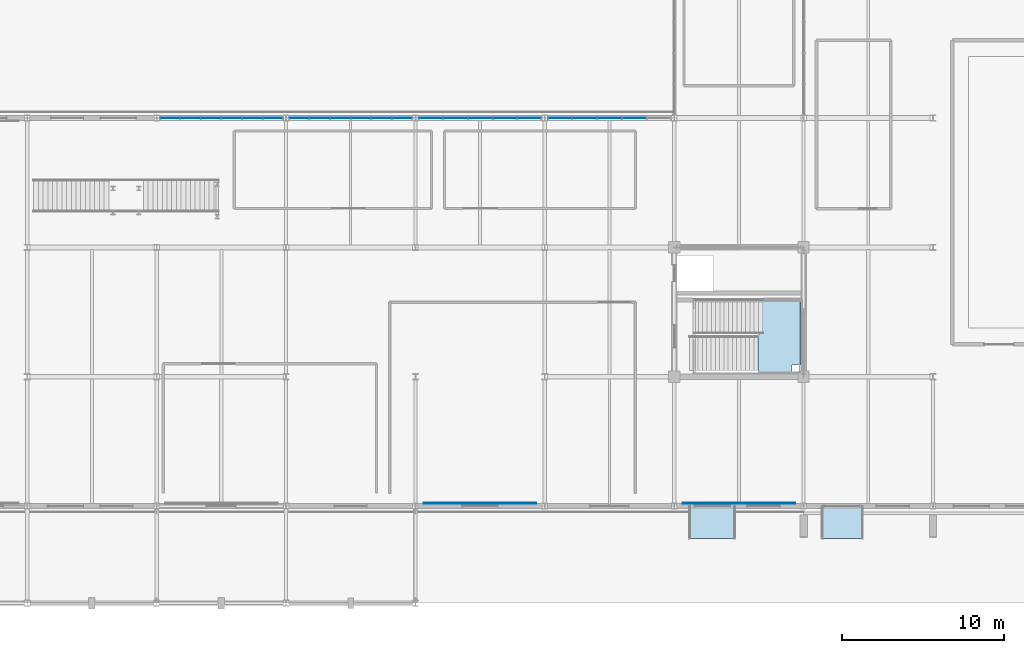
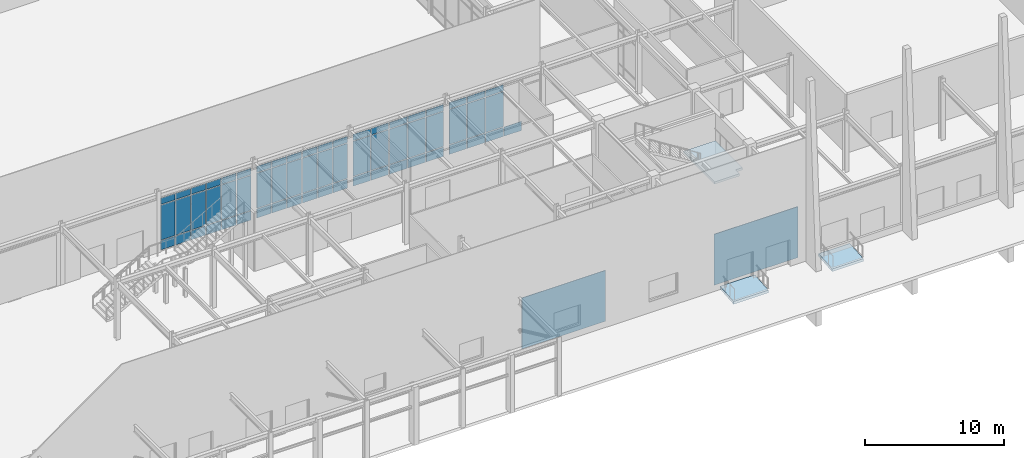
# One storey, part 60 of 119: 63 plates, 3 slabs, 5 elements without a shape of their own.
"""IFC4 building model written with IfcOpenShell, lengths in metres."""

from ifc_helpers import new_model, si_unit, direction, frame, origin, origin_2d, place, context, subcontext, project, spatial, polyline, rectangle, outline, extrude, material, layer, layer_set, type_object, element, aggregate, save


model = new_model("IFC4")

# Units and contexts
model_context = context("Model", 3, precision=1e-05, world=origin(), true_north=direction((0.0, 1.0)))
body_context = subcontext(model_context, "Body", "Model", "MODEL_VIEW")
ifc_project = project(units=[si_unit("LENGTHUNIT", "METRE"), si_unit("AREAUNIT", "SQUARE_METRE"), si_unit("VOLUMEUNIT", "CUBIC_METRE"), si_unit("PLANEANGLEUNIT", "RADIAN"), si_unit("MASSUNIT", "GRAM", prefix="KILO")], contexts=[model_context])

# Site, building, storey
site_placement = place(None, origin())
site = spatial("IfcSite", under=ifc_project, at=site_placement, CompositionType="ELEMENT")
building_placement = place(site_placement, origin())
building = spatial("IfcBuilding", under=site, at=building_placement, Name="Zhaolan Boulevard Law Courts", CompositionType="ELEMENT")
storey_placement = place(building_placement, origin())
storey = spatial("IfcBuildingStorey", under=building, at=storey_placement, Name="L00", CompositionType="ELEMENT", Elevation=0.0)

# Curtain wall, plates
ifc_material_1 = material(Name="Thermally broken aluminium and low-E glazing", Category="aluminium")
curtain_wall_type_1 = type_object("IfcCurtainWallType", Name="CURTAIN WALL M5", PredefinedType="USERDEFINED", material=ifc_material_1)
curtain_wall_1_placement = place(storey_placement, origin())
curtain_wall_1 = element("IfcCurtainWall", 1, at=curtain_wall_1_placement, inside=storey, type_object=curtain_wall_type_1, Name="Curtain Wall CW-L00-005", ObjectType="CURTAIN WALL", PredefinedType="USERDEFINED")
ifc_material_2 = material(Name="Acoustic laminated low-E glazing", Category="glass")
ifc_layer_1 = layer(ifc_material_2, 0.031982421875)
ifc_layer_set_1 = layer_set([ifc_layer_1])
plate_type_1 = type_object("IfcPlateType", Name="CWPANEL LOW E32", PredefinedType="CURTAIN_PANEL", material=ifc_layer_set_1)
plate_1_placement = place(storey_placement, frame((91.169677734375, 30.0, 0.06494140625), z_axis=(0.0, 0.0, 1.0), x_axis=(-1.0, 0.0, 0.0)))
plate_1 = element("IfcPlate", 2, at=plate_1_placement, type_object=plate_type_1, Name="CW-L00-005 panel 1.1", PredefinedType="CURTAIN_PANEL", context=body_context, shape_type="SweptSolid", body=[
    extrude(rectangle(XDim=1.1767578125, YDim=0.031982421875, at=origin_2d()), origin(), (0.0, 0.0, 1.0), 0.802490234375),
])
plate_2_placement = place(storey_placement, frame((91.169677734375, 30.0, 0.9326171875), z_axis=(0.0, 0.0, 1.0), x_axis=(-1.0, 0.0, 0.0)))
plate_2 = element("IfcPlate", 3, at=plate_2_placement, type_object=plate_type_1, Name="CW-L00-005 panel 1.2", PredefinedType="CURTAIN_PANEL", context=body_context, shape_type="SweptSolid", body=[
    extrude(rectangle(XDim=1.1767578125, YDim=0.031982421875, at=origin_2d()), origin(), (0.0, 0.0, 1.0), 3.068115234375),
])
plate_3_placement = place(storey_placement, frame((91.169677734375, 30.0, 4.0654296875), z_axis=(0.0, 0.0, 1.0), x_axis=(-1.0, 0.0, 0.0)))
plate_3 = element("IfcPlate", 4, at=plate_3_placement, type_object=plate_type_1, Name="CW-L00-005 panel 1.3", PredefinedType="CURTAIN_PANEL", context=body_context, shape_type="SweptSolid", body=[
    extrude(rectangle(XDim=1.1767578125, YDim=0.031982421875, at=origin_2d()), origin(), (0.0, 0.0, 1.0), 0.552490234375),
])
plate_4_placement = place(storey_placement, frame((89.91162109375, 30.0, 0.06494140625), z_axis=(0.0, 0.0, 1.0), x_axis=(-1.0, 0.0, 0.0)))
plate_4 = element("IfcPlate", 5, at=plate_4_placement, type_object=plate_type_1, Name="CW-L00-005 panel 2.1", PredefinedType="CURTAIN_PANEL", context=body_context, shape_type="SweptSolid", body=[
    extrude(rectangle(XDim=1.209228515625, YDim=0.031982421875, at=origin_2d()), origin(), (0.0, 0.0, 1.0), 0.802490234375),
])
plate_5_placement = place(storey_placement, frame((89.91162109375, 30.0, 0.9326171875), z_axis=(0.0, 0.0, 1.0), x_axis=(-1.0, 0.0, 0.0)))
plate_5 = element("IfcPlate", 6, at=plate_5_placement, type_object=plate_type_1, Name="CW-L00-005 panel 2.2", PredefinedType="CURTAIN_PANEL", context=body_context, shape_type="SweptSolid", body=[
    extrude(rectangle(XDim=1.209228515625, YDim=0.031982421875, at=origin_2d()), origin(), (0.0, 0.0, 1.0), 3.068115234375),
])
plate_6_placement = place(storey_placement, frame((89.91162109375, 30.0, 4.0654296875), z_axis=(0.0, 0.0, 1.0), x_axis=(-1.0, 0.0, 0.0)))
plate_6 = element("IfcPlate", 7, at=plate_6_placement, type_object=plate_type_1, Name="CW-L00-005 panel 2.3", PredefinedType="CURTAIN_PANEL", context=body_context, shape_type="SweptSolid", body=[
    extrude(rectangle(XDim=1.209228515625, YDim=0.031982421875, at=origin_2d()), origin(), (0.0, 0.0, 1.0), 0.552490234375),
])
plate_7_placement = place(storey_placement, frame((88.63720703125, 30.0, 0.06494140625), z_axis=(0.0, 0.0, 1.0), x_axis=(-1.0, 0.0, 0.0)))
plate_7 = element("IfcPlate", 8, at=plate_7_placement, type_object=plate_type_1, Name="CW-L00-005 panel 3.1", PredefinedType="CURTAIN_PANEL", context=body_context, shape_type="SweptSolid", body=[
    extrude(rectangle(XDim=1.209228515625, YDim=0.031982421875, at=origin_2d()), origin(), (0.0, 0.0, 1.0), 0.802490234375),
])
plate_8_placement = place(storey_placement, frame((88.63720703125, 30.0, 0.9326171875), z_axis=(0.0, 0.0, 1.0), x_axis=(-1.0, 0.0, 0.0)))
plate_8 = element("IfcPlate", 9, at=plate_8_placement, type_object=plate_type_1, Name="CW-L00-005 panel 3.2", PredefinedType="CURTAIN_PANEL", context=body_context, shape_type="SweptSolid", body=[
    extrude(rectangle(XDim=1.209228515625, YDim=0.031982421875, at=origin_2d()), origin(), (0.0, 0.0, 1.0), 3.068115234375),
])
plate_9_placement = place(storey_placement, frame((88.63720703125, 30.0, 4.0654296875), z_axis=(0.0, 0.0, 1.0), x_axis=(-1.0, 0.0, 0.0)))
plate_9 = element("IfcPlate", 10, at=plate_9_placement, type_object=plate_type_1, Name="CW-L00-005 panel 3.3", PredefinedType="CURTAIN_PANEL", context=body_context, shape_type="SweptSolid", body=[
    extrude(rectangle(XDim=1.209228515625, YDim=0.031982421875, at=origin_2d()), origin(), (0.0, 0.0, 1.0), 0.552490234375),
])
plate_10_placement = place(storey_placement, frame((87.36279296875, 30.0, 0.06494140625), z_axis=(0.0, 0.0, 1.0), x_axis=(-1.0, 0.0, 0.0)))
plate_10 = element("IfcPlate", 11, at=plate_10_placement, type_object=plate_type_1, Name="CW-L00-005 panel 4.1", PredefinedType="CURTAIN_PANEL", context=body_context, shape_type="SweptSolid", body=[
    extrude(rectangle(XDim=1.209228515625, YDim=0.031982421875, at=origin_2d()), origin(), (0.0, 0.0, 1.0), 0.802490234375),
])
plate_11_placement = place(storey_placement, frame((87.36279296875, 30.0, 0.9326171875), z_axis=(0.0, 0.0, 1.0), x_axis=(-1.0, 0.0, 0.0)))
plate_11 = element("IfcPlate", 12, at=plate_11_placement, type_object=plate_type_1, Name="CW-L00-005 panel 4.2", PredefinedType="CURTAIN_PANEL", context=body_context, shape_type="SweptSolid", body=[
    extrude(rectangle(XDim=1.209228515625, YDim=0.031982421875, at=origin_2d()), origin(), (0.0, 0.0, 1.0), 3.068115234375),
])
plate_12_placement = place(storey_placement, frame((87.36279296875, 30.0, 4.0654296875), z_axis=(0.0, 0.0, 1.0), x_axis=(-1.0, 0.0, 0.0)))
plate_12 = element("IfcPlate", 13, at=plate_12_placement, type_object=plate_type_1, Name="CW-L00-005 panel 4.3", PredefinedType="CURTAIN_PANEL", context=body_context, shape_type="SweptSolid", body=[
    extrude(rectangle(XDim=1.209228515625, YDim=0.031982421875, at=origin_2d()), origin(), (0.0, 0.0, 1.0), 0.552490234375),
])
plate_13_placement = place(storey_placement, frame((86.08837890625, 30.0, 0.06494140625), z_axis=(0.0, 0.0, 1.0), x_axis=(-1.0, 0.0, 0.0)))
plate_13 = element("IfcPlate", 14, at=plate_13_placement, type_object=plate_type_1, Name="CW-L00-005 panel 5.1", PredefinedType="CURTAIN_PANEL", context=body_context, shape_type="SweptSolid", body=[
    extrude(rectangle(XDim=1.209228515625, YDim=0.031982421875, at=origin_2d()), origin(), (0.0, 0.0, 1.0), 0.802490234375),
])
plate_14_placement = place(storey_placement, frame((86.08837890625, 30.0, 0.9326171875), z_axis=(0.0, 0.0, 1.0), x_axis=(-1.0, 0.0, 0.0)))
plate_14 = element("IfcPlate", 15, at=plate_14_placement, type_object=plate_type_1, Name="CW-L00-005 panel 5.2", PredefinedType="CURTAIN_PANEL", context=body_context, shape_type="SweptSolid", body=[
    extrude(rectangle(XDim=1.209228515625, YDim=0.031982421875, at=origin_2d()), origin(), (0.0, 0.0, 1.0), 3.068115234375),
])
plate_15_placement = place(storey_placement, frame((86.08837890625, 30.0, 4.0654296875), z_axis=(0.0, 0.0, 1.0), x_axis=(-1.0, 0.0, 0.0)))
plate_15 = element("IfcPlate", 16, at=plate_15_placement, type_object=plate_type_1, Name="CW-L00-005 panel 5.3", PredefinedType="CURTAIN_PANEL", context=body_context, shape_type="SweptSolid", body=[
    extrude(rectangle(XDim=1.209228515625, YDim=0.031982421875, at=origin_2d()), origin(), (0.0, 0.0, 1.0), 0.552490234375),
])
plate_16_placement = place(storey_placement, frame((84.830322265625, 30.0, 0.06494140625), z_axis=(0.0, 0.0, 1.0), x_axis=(-1.0, 0.0, 0.0)))
plate_16 = element("IfcPlate", 17, at=plate_16_placement, type_object=plate_type_1, Name="CW-L00-005 panel 6.1", PredefinedType="CURTAIN_PANEL", context=body_context, shape_type="SweptSolid", body=[
    extrude(rectangle(XDim=1.1767578125, YDim=0.031982421875, at=origin_2d()), origin(), (0.0, 0.0, 1.0), 0.802490234375),
])
plate_17_placement = place(storey_placement, frame((84.830322265625, 30.0, 0.9326171875), z_axis=(0.0, 0.0, 1.0), x_axis=(-1.0, 0.0, 0.0)))
plate_17 = element("IfcPlate", 18, at=plate_17_placement, type_object=plate_type_1, Name="CW-L00-005 panel 6.2", PredefinedType="CURTAIN_PANEL", context=body_context, shape_type="SweptSolid", body=[
    extrude(rectangle(XDim=1.1767578125, YDim=0.031982421875, at=origin_2d()), origin(), (0.0, 0.0, 1.0), 3.068115234375),
])
plate_18_placement = place(storey_placement, frame((84.830322265625, 30.0, 4.0654296875), z_axis=(0.0, 0.0, 1.0), x_axis=(-1.0, 0.0, 0.0)))
plate_18 = element("IfcPlate", 19, at=plate_18_placement, type_object=plate_type_1, Name="CW-L00-005 panel 6.3", PredefinedType="CURTAIN_PANEL", context=body_context, shape_type="SweptSolid", body=[
    extrude(rectangle(XDim=1.1767578125, YDim=0.031982421875, at=origin_2d()), origin(), (0.0, 0.0, 1.0), 0.552490234375),
])
aggregate(curtain_wall_1, [plate_1, plate_2, plate_3, plate_4, plate_5, plate_6, plate_7, plate_8, plate_9, plate_10, plate_11, plate_12, plate_13, plate_14, plate_15, plate_16, plate_17, plate_18])

ifc_material_3 = material(Name="Thermally broken aluminium and low-E glazing", Category="aluminium")
curtain_wall_type_2 = type_object("IfcCurtainWallType", Name="CURTAIN WALL M6", PredefinedType="USERDEFINED", material=ifc_material_3)
curtain_wall_2_placement = place(storey_placement, origin())
curtain_wall_2 = element("IfcCurtainWall", 20, at=curtain_wall_2_placement, inside=storey, type_object=curtain_wall_type_2, Name="Curtain Wall CW-L00-006", ObjectType="CURTAIN WALL", PredefinedType="USERDEFINED")
plate_19_placement = place(storey_placement, frame((99.169677734375, 30.0, 0.06494140625), z_axis=(0.0, 0.0, 1.0), x_axis=(-1.0, 0.0, 0.0)))
plate_19 = element("IfcPlate", 21, at=plate_19_placement, type_object=plate_type_1, Name="CW-L00-006 panel 1.1", PredefinedType="CURTAIN_PANEL", context=body_context, shape_type="SweptSolid", body=[
    extrude(rectangle(XDim=1.1767578125, YDim=0.031982421875, at=origin_2d()), origin(), (0.0, 0.0, 1.0), 0.802490234375),
])
plate_20_placement = place(storey_placement, frame((99.169677734375, 30.0, 0.9326171875), z_axis=(0.0, 0.0, 1.0), x_axis=(-1.0, 0.0, 0.0)))
plate_20 = element("IfcPlate", 22, at=plate_20_placement, type_object=plate_type_1, Name="CW-L00-006 panel 1.2", PredefinedType="CURTAIN_PANEL", context=body_context, shape_type="SweptSolid", body=[
    extrude(rectangle(XDim=1.1767578125, YDim=0.031982421875, at=origin_2d()), origin(), (0.0, 0.0, 1.0), 3.068115234375),
])
plate_21_placement = place(storey_placement, frame((99.169677734375, 30.0, 4.0654296875), z_axis=(0.0, 0.0, 1.0), x_axis=(-1.0, 0.0, 0.0)))
plate_21 = element("IfcPlate", 23, at=plate_21_placement, type_object=plate_type_1, Name="CW-L00-006 panel 1.3", PredefinedType="CURTAIN_PANEL", context=body_context, shape_type="SweptSolid", body=[
    extrude(rectangle(XDim=1.1767578125, YDim=0.031982421875, at=origin_2d()), origin(), (0.0, 0.0, 1.0), 0.552490234375),
])
plate_22_placement = place(storey_placement, frame((97.91162109375, 30.0, 0.06494140625), z_axis=(0.0, 0.0, 1.0), x_axis=(-1.0, 0.0, 0.0)))
plate_22 = element("IfcPlate", 24, at=plate_22_placement, type_object=plate_type_1, Name="CW-L00-006 panel 2.1", PredefinedType="CURTAIN_PANEL", context=body_context, shape_type="SweptSolid", body=[
    extrude(rectangle(XDim=1.209228515625, YDim=0.031982421875, at=origin_2d()), origin(), (0.0, 0.0, 1.0), 0.802490234375),
])
plate_23_placement = place(storey_placement, frame((97.91162109375, 30.0, 0.9326171875), z_axis=(0.0, 0.0, 1.0), x_axis=(-1.0, 0.0, 0.0)))
plate_23 = element("IfcPlate", 25, at=plate_23_placement, type_object=plate_type_1, Name="CW-L00-006 panel 2.2", PredefinedType="CURTAIN_PANEL", context=body_context, shape_type="SweptSolid", body=[
    extrude(rectangle(XDim=1.209228515625, YDim=0.031982421875, at=origin_2d()), origin(), (0.0, 0.0, 1.0), 3.068115234375),
])
plate_24_placement = place(storey_placement, frame((97.91162109375, 30.0, 4.0654296875), z_axis=(0.0, 0.0, 1.0), x_axis=(-1.0, 0.0, 0.0)))
plate_24 = element("IfcPlate", 26, at=plate_24_placement, type_object=plate_type_1, Name="CW-L00-006 panel 2.3", PredefinedType="CURTAIN_PANEL", context=body_context, shape_type="SweptSolid", body=[
    extrude(rectangle(XDim=1.209228515625, YDim=0.031982421875, at=origin_2d()), origin(), (0.0, 0.0, 1.0), 0.552490234375),
])
plate_25_placement = place(storey_placement, frame((96.63720703125, 30.0, 0.06494140625), z_axis=(0.0, 0.0, 1.0), x_axis=(-1.0, 0.0, 0.0)))
plate_25 = element("IfcPlate", 27, at=plate_25_placement, type_object=plate_type_1, Name="CW-L00-006 panel 3.1", PredefinedType="CURTAIN_PANEL", context=body_context, shape_type="SweptSolid", body=[
    extrude(rectangle(XDim=1.209228515625, YDim=0.031982421875, at=origin_2d()), origin(), (0.0, 0.0, 1.0), 0.802490234375),
])
plate_26_placement = place(storey_placement, frame((96.63720703125, 30.0, 0.9326171875), z_axis=(0.0, 0.0, 1.0), x_axis=(-1.0, 0.0, 0.0)))
plate_26 = element("IfcPlate", 28, at=plate_26_placement, type_object=plate_type_1, Name="CW-L00-006 panel 3.2", PredefinedType="CURTAIN_PANEL", context=body_context, shape_type="SweptSolid", body=[
    extrude(rectangle(XDim=1.209228515625, YDim=0.031982421875, at=origin_2d()), origin(), (0.0, 0.0, 1.0), 3.068115234375),
])
plate_27_placement = place(storey_placement, frame((96.63720703125, 30.0, 4.0654296875), z_axis=(0.0, 0.0, 1.0), x_axis=(-1.0, 0.0, 0.0)))
plate_27 = element("IfcPlate", 29, at=plate_27_placement, type_object=plate_type_1, Name="CW-L00-006 panel 3.3", PredefinedType="CURTAIN_PANEL", context=body_context, shape_type="SweptSolid", body=[
    extrude(rectangle(XDim=1.209228515625, YDim=0.031982421875, at=origin_2d()), origin(), (0.0, 0.0, 1.0), 0.552490234375),
])
plate_28_placement = place(storey_placement, frame((95.36279296875, 30.0, 0.06494140625), z_axis=(0.0, 0.0, 1.0), x_axis=(-1.0, 0.0, 0.0)))
plate_28 = element("IfcPlate", 30, at=plate_28_placement, type_object=plate_type_1, Name="CW-L00-006 panel 4.1", PredefinedType="CURTAIN_PANEL", context=body_context, shape_type="SweptSolid", body=[
    extrude(rectangle(XDim=1.209228515625, YDim=0.031982421875, at=origin_2d()), origin(), (0.0, 0.0, 1.0), 0.802490234375),
])
plate_29_placement = place(storey_placement, frame((95.36279296875, 30.0, 0.9326171875), z_axis=(0.0, 0.0, 1.0), x_axis=(-1.0, 0.0, 0.0)))
plate_29 = element("IfcPlate", 31, at=plate_29_placement, type_object=plate_type_1, Name="CW-L00-006 panel 4.2", PredefinedType="CURTAIN_PANEL", context=body_context, shape_type="SweptSolid", body=[
    extrude(rectangle(XDim=1.209228515625, YDim=0.031982421875, at=origin_2d()), origin(), (0.0, 0.0, 1.0), 3.068115234375),
])
plate_30_placement = place(storey_placement, frame((95.36279296875, 30.0, 4.0654296875), z_axis=(0.0, 0.0, 1.0), x_axis=(-1.0, 0.0, 0.0)))
plate_30 = element("IfcPlate", 32, at=plate_30_placement, type_object=plate_type_1, Name="CW-L00-006 panel 4.3", PredefinedType="CURTAIN_PANEL", context=body_context, shape_type="SweptSolid", body=[
    extrude(rectangle(XDim=1.209228515625, YDim=0.031982421875, at=origin_2d()), origin(), (0.0, 0.0, 1.0), 0.552490234375),
])
plate_31_placement = place(storey_placement, frame((94.08837890625, 30.0, 0.06494140625), z_axis=(0.0, 0.0, 1.0), x_axis=(-1.0, 0.0, 0.0)))
plate_31 = element("IfcPlate", 33, at=plate_31_placement, type_object=plate_type_1, Name="CW-L00-006 panel 5.1", PredefinedType="CURTAIN_PANEL", context=body_context, shape_type="SweptSolid", body=[
    extrude(rectangle(XDim=1.209228515625, YDim=0.031982421875, at=origin_2d()), origin(), (0.0, 0.0, 1.0), 0.802490234375),
])
plate_32_placement = place(storey_placement, frame((94.08837890625, 30.0, 0.9326171875), z_axis=(0.0, 0.0, 1.0), x_axis=(-1.0, 0.0, 0.0)))
plate_32 = element("IfcPlate", 34, at=plate_32_placement, type_object=plate_type_1, Name="CW-L00-006 panel 5.2", PredefinedType="CURTAIN_PANEL", context=body_context, shape_type="SweptSolid", body=[
    extrude(rectangle(XDim=1.209228515625, YDim=0.031982421875, at=origin_2d()), origin(), (0.0, 0.0, 1.0), 3.068115234375),
])
plate_33_placement = place(storey_placement, frame((94.08837890625, 30.0, 4.0654296875), z_axis=(0.0, 0.0, 1.0), x_axis=(-1.0, 0.0, 0.0)))
plate_33 = element("IfcPlate", 35, at=plate_33_placement, type_object=plate_type_1, Name="CW-L00-006 panel 5.3", PredefinedType="CURTAIN_PANEL", context=body_context, shape_type="SweptSolid", body=[
    extrude(rectangle(XDim=1.209228515625, YDim=0.031982421875, at=origin_2d()), origin(), (0.0, 0.0, 1.0), 0.552490234375),
])
plate_34_placement = place(storey_placement, frame((92.830322265625, 30.0, 0.06494140625), z_axis=(0.0, 0.0, 1.0), x_axis=(-1.0, 0.0, 0.0)))
plate_34 = element("IfcPlate", 36, at=plate_34_placement, type_object=plate_type_1, Name="CW-L00-006 panel 6.1", PredefinedType="CURTAIN_PANEL", context=body_context, shape_type="SweptSolid", body=[
    extrude(rectangle(XDim=1.1767578125, YDim=0.031982421875, at=origin_2d()), origin(), (0.0, 0.0, 1.0), 0.802490234375),
])
plate_35_placement = place(storey_placement, frame((92.830322265625, 30.0, 0.9326171875), z_axis=(0.0, 0.0, 1.0), x_axis=(-1.0, 0.0, 0.0)))
plate_35 = element("IfcPlate", 37, at=plate_35_placement, type_object=plate_type_1, Name="CW-L00-006 panel 6.2", PredefinedType="CURTAIN_PANEL", context=body_context, shape_type="SweptSolid", body=[
    extrude(rectangle(XDim=1.1767578125, YDim=0.031982421875, at=origin_2d()), origin(), (0.0, 0.0, 1.0), 3.068115234375),
])
plate_36_placement = place(storey_placement, frame((92.830322265625, 30.0, 4.0654296875), z_axis=(0.0, 0.0, 1.0), x_axis=(-1.0, 0.0, 0.0)))
plate_36 = element("IfcPlate", 38, at=plate_36_placement, type_object=plate_type_1, Name="CW-L00-006 panel 6.3", PredefinedType="CURTAIN_PANEL", context=body_context, shape_type="SweptSolid", body=[
    extrude(rectangle(XDim=1.1767578125, YDim=0.031982421875, at=origin_2d()), origin(), (0.0, 0.0, 1.0), 0.552490234375),
])
aggregate(curtain_wall_2, [plate_19, plate_20, plate_21, plate_22, plate_23, plate_24, plate_25, plate_26, plate_27, plate_28, plate_29, plate_30, plate_31, plate_32, plate_33, plate_34, plate_35, plate_36])

ifc_material_4 = material(Name="Thermally broken aluminium and low-E glazing", Category="aluminium")
curtain_wall_type_3 = type_object("IfcCurtainWallType", Name="CURTAIN WALL M7", PredefinedType="USERDEFINED", material=ifc_material_4)
curtain_wall_3_placement = place(storey_placement, origin())
curtain_wall_3 = element("IfcCurtainWall", 39, at=curtain_wall_3_placement, inside=storey, type_object=curtain_wall_type_3, Name="Curtain Wall CW-L00-007", ObjectType="CURTAIN WALL", PredefinedType="USERDEFINED")
plate_37_placement = place(storey_placement, frame((107.042236328125, 30.0, 0.06494140625), z_axis=(0.0, 0.0, 1.0), x_axis=(-1.0, 0.0, 0.0)))
plate_37 = element("IfcPlate", 40, at=plate_37_placement, type_object=plate_type_1, Name="CW-L00-007 panel 1.1", PredefinedType="CURTAIN_PANEL", context=body_context, shape_type="SweptSolid", body=[
    extrude(rectangle(XDim=1.431640625, YDim=0.031982421875, at=origin_2d()), origin(), (0.0, 0.0, 1.0), 0.802490234375),
])
plate_38_placement = place(storey_placement, frame((107.042236328125, 30.0, 0.9326171875), z_axis=(0.0, 0.0, 1.0), x_axis=(-1.0, 0.0, 0.0)))
plate_38 = element("IfcPlate", 41, at=plate_38_placement, type_object=plate_type_1, Name="CW-L00-007 panel 1.2", PredefinedType="CURTAIN_PANEL", context=body_context, shape_type="SweptSolid", body=[
    extrude(rectangle(XDim=1.431640625, YDim=0.031982421875, at=origin_2d()), origin(), (0.0, 0.0, 1.0), 3.068115234375),
])
plate_39_placement = place(storey_placement, frame((107.042236328125, 30.0, 4.0654296875), z_axis=(0.0, 0.0, 1.0), x_axis=(-1.0, 0.0, 0.0)))
plate_39 = element("IfcPlate", 42, at=plate_39_placement, type_object=plate_type_1, Name="CW-L00-007 panel 1.3", PredefinedType="CURTAIN_PANEL", context=body_context, shape_type="SweptSolid", body=[
    extrude(rectangle(XDim=1.431640625, YDim=0.031982421875, at=origin_2d()), origin(), (0.0, 0.0, 1.0), 0.552490234375),
])
plate_40_placement = place(storey_placement, frame((105.529296875, 30.0, 0.06494140625), z_axis=(0.0, 0.0, 1.0), x_axis=(-1.0, 0.0, 0.0)))
plate_40 = element("IfcPlate", 43, at=plate_40_placement, type_object=plate_type_1, Name="CW-L00-007 panel 2.1", PredefinedType="CURTAIN_PANEL", context=body_context, shape_type="SweptSolid", body=[
    extrude(rectangle(XDim=1.464111328125, YDim=0.031982421875, at=origin_2d()), origin(), (0.0, 0.0, 1.0), 0.802490234375),
])
plate_41_placement = place(storey_placement, frame((105.529296875, 30.0, 0.9326171875), z_axis=(0.0, 0.0, 1.0), x_axis=(-1.0, 0.0, 0.0)))
plate_41 = element("IfcPlate", 44, at=plate_41_placement, type_object=plate_type_1, Name="CW-L00-007 panel 2.2", PredefinedType="CURTAIN_PANEL", context=body_context, shape_type="SweptSolid", body=[
    extrude(rectangle(XDim=1.464111328125, YDim=0.031982421875, at=origin_2d()), origin(), (0.0, 0.0, 1.0), 3.068115234375),
])
plate_42_placement = place(storey_placement, frame((105.529296875, 30.0, 4.0654296875), z_axis=(0.0, 0.0, 1.0), x_axis=(-1.0, 0.0, 0.0)))
plate_42 = element("IfcPlate", 45, at=plate_42_placement, type_object=plate_type_1, Name="CW-L00-007 panel 2.3", PredefinedType="CURTAIN_PANEL", context=body_context, shape_type="SweptSolid", body=[
    extrude(rectangle(XDim=1.464111328125, YDim=0.031982421875, at=origin_2d()), origin(), (0.0, 0.0, 1.0), 0.552490234375),
])
plate_43_placement = place(storey_placement, frame((104.0, 30.0, 0.06494140625), z_axis=(0.0, 0.0, 1.0), x_axis=(-1.0, 0.0, 0.0)))
plate_43 = element("IfcPlate", 46, at=plate_43_placement, type_object=plate_type_1, Name="CW-L00-007 panel 3.1", PredefinedType="CURTAIN_PANEL", context=body_context, shape_type="SweptSolid", body=[
    extrude(rectangle(XDim=1.464111328125, YDim=0.031982421875, at=origin_2d()), origin(), (0.0, 0.0, 1.0), 0.802490234375),
])
plate_44_placement = place(storey_placement, frame((104.0, 30.0, 0.9326171875), z_axis=(0.0, 0.0, 1.0), x_axis=(-1.0, 0.0, 0.0)))
plate_44 = element("IfcPlate", 47, at=plate_44_placement, type_object=plate_type_1, Name="CW-L00-007 panel 3.2", PredefinedType="CURTAIN_PANEL", context=body_context, shape_type="SweptSolid", body=[
    extrude(rectangle(XDim=1.464111328125, YDim=0.031982421875, at=origin_2d()), origin(), (0.0, 0.0, 1.0), 3.068115234375),
])
plate_45_placement = place(storey_placement, frame((104.0, 30.0, 4.0654296875), z_axis=(0.0, 0.0, 1.0), x_axis=(-1.0, 0.0, 0.0)))
plate_45 = element("IfcPlate", 48, at=plate_45_placement, type_object=plate_type_1, Name="CW-L00-007 panel 3.3", PredefinedType="CURTAIN_PANEL", context=body_context, shape_type="SweptSolid", body=[
    extrude(rectangle(XDim=1.464111328125, YDim=0.031982421875, at=origin_2d()), origin(), (0.0, 0.0, 1.0), 0.552490234375),
])
plate_46_placement = place(storey_placement, frame((102.470703125, 30.0, 0.06494140625), z_axis=(0.0, 0.0, 1.0), x_axis=(-1.0, 0.0, 0.0)))
plate_46 = element("IfcPlate", 49, at=plate_46_placement, type_object=plate_type_1, Name="CW-L00-007 panel 4.1", PredefinedType="CURTAIN_PANEL", context=body_context, shape_type="SweptSolid", body=[
    extrude(rectangle(XDim=1.464111328125, YDim=0.031982421875, at=origin_2d()), origin(), (0.0, 0.0, 1.0), 0.802490234375),
])
plate_47_placement = place(storey_placement, frame((102.470703125, 30.0, 0.9326171875), z_axis=(0.0, 0.0, 1.0), x_axis=(-1.0, 0.0, 0.0)))
plate_47 = element("IfcPlate", 50, at=plate_47_placement, type_object=plate_type_1, Name="CW-L00-007 panel 4.2", PredefinedType="CURTAIN_PANEL", context=body_context, shape_type="SweptSolid", body=[
    extrude(rectangle(XDim=1.464111328125, YDim=0.031982421875, at=origin_2d()), origin(), (0.0, 0.0, 1.0), 3.068115234375),
])
plate_48_placement = place(storey_placement, frame((102.470703125, 30.0, 4.0654296875), z_axis=(0.0, 0.0, 1.0), x_axis=(-1.0, 0.0, 0.0)))
plate_48 = element("IfcPlate", 51, at=plate_48_placement, type_object=plate_type_1, Name="CW-L00-007 panel 4.3", PredefinedType="CURTAIN_PANEL", context=body_context, shape_type="SweptSolid", body=[
    extrude(rectangle(XDim=1.464111328125, YDim=0.031982421875, at=origin_2d()), origin(), (0.0, 0.0, 1.0), 0.552490234375),
])
plate_49_placement = place(storey_placement, frame((100.957763671875, 30.0, 0.06494140625), z_axis=(0.0, 0.0, 1.0), x_axis=(-1.0, 0.0, 0.0)))
plate_49 = element("IfcPlate", 52, at=plate_49_placement, type_object=plate_type_1, Name="CW-L00-007 panel 5.1", PredefinedType="CURTAIN_PANEL", context=body_context, shape_type="SweptSolid", body=[
    extrude(rectangle(XDim=1.431640625, YDim=0.031982421875, at=origin_2d()), origin(), (0.0, 0.0, 1.0), 0.802490234375),
])
plate_50_placement = place(storey_placement, frame((100.957763671875, 30.0, 0.9326171875), z_axis=(0.0, 0.0, 1.0), x_axis=(-1.0, 0.0, 0.0)))
plate_50 = element("IfcPlate", 53, at=plate_50_placement, type_object=plate_type_1, Name="CW-L00-007 panel 5.2", PredefinedType="CURTAIN_PANEL", context=body_context, shape_type="SweptSolid", body=[
    extrude(rectangle(XDim=1.431640625, YDim=0.031982421875, at=origin_2d()), origin(), (0.0, 0.0, 1.0), 3.068115234375),
])
plate_51_placement = place(storey_placement, frame((100.957763671875, 30.0, 4.0654296875), z_axis=(0.0, 0.0, 1.0), x_axis=(-1.0, 0.0, 0.0)))
plate_51 = element("IfcPlate", 54, at=plate_51_placement, type_object=plate_type_1, Name="CW-L00-007 panel 5.3", PredefinedType="CURTAIN_PANEL", context=body_context, shape_type="SweptSolid", body=[
    extrude(rectangle(XDim=1.431640625, YDim=0.031982421875, at=origin_2d()), origin(), (0.0, 0.0, 1.0), 0.552490234375),
])
aggregate(curtain_wall_3, [plate_37, plate_38, plate_39, plate_40, plate_41, plate_42, plate_43, plate_44, plate_45, plate_46, plate_47, plate_48, plate_49, plate_50, plate_51])

ifc_material_5 = material(Name="Thermally broken aluminium and low-E glazing", Category="aluminium")
curtain_wall_type_4 = type_object("IfcCurtainWallType", Name="CURTAIN WALL M8", PredefinedType="USERDEFINED", material=ifc_material_5)
curtain_wall_4_placement = place(storey_placement, origin())
curtain_wall_4 = element("IfcCurtainWall", 55, at=curtain_wall_4_placement, inside=storey, type_object=curtain_wall_type_4, Name="Curtain Wall CW-L00-008", ObjectType="CURTAIN WALL", PredefinedType="USERDEFINED")
plate_52_placement = place(storey_placement, frame((113.529296875, 30.0, 0.06494140625), z_axis=(0.0, 0.0, 1.0), x_axis=(-1.0, 0.0, 0.0)))
plate_52 = element("IfcPlate", 56, at=plate_52_placement, type_object=plate_type_1, Name="CW-L00-008 panel 2.1", PredefinedType="CURTAIN_PANEL", context=body_context, shape_type="SweptSolid", body=[
    extrude(rectangle(XDim=1.464111328125, YDim=0.031982421875, at=origin_2d()), origin(), (0.0, 0.0, 1.0), 0.802490234375),
])
plate_53_placement = place(storey_placement, frame((112.0, 30.0, 0.06494140625), z_axis=(0.0, 0.0, 1.0), x_axis=(-1.0, 0.0, 0.0)))
plate_53 = element("IfcPlate", 57, at=plate_53_placement, type_object=plate_type_1, Name="CW-L00-008 panel 3.1", PredefinedType="CURTAIN_PANEL", context=body_context, shape_type="SweptSolid", body=[
    extrude(rectangle(XDim=1.464111328125, YDim=0.031982421875, at=origin_2d()), origin(), (0.0, 0.0, 1.0), 0.802490234375),
])
plate_54_placement = place(storey_placement, frame((112.0, 30.0, 0.9326171875), z_axis=(0.0, 0.0, 1.0), x_axis=(-1.0, 0.0, 0.0)))
plate_54 = element("IfcPlate", 58, at=plate_54_placement, type_object=plate_type_1, Name="CW-L00-008 panel 3.2", PredefinedType="CURTAIN_PANEL", context=body_context, shape_type="SweptSolid", body=[
    extrude(rectangle(XDim=1.464111328125, YDim=0.031982421875, at=origin_2d()), origin(), (0.0, 0.0, 1.0), 3.068115234375),
])
plate_55_placement = place(storey_placement, frame((112.0, 30.0, 4.0654296875), z_axis=(0.0, 0.0, 1.0), x_axis=(-1.0, 0.0, 0.0)))
plate_55 = element("IfcPlate", 59, at=plate_55_placement, type_object=plate_type_1, Name="CW-L00-008 panel 3.3", PredefinedType="CURTAIN_PANEL", context=body_context, shape_type="SweptSolid", body=[
    extrude(rectangle(XDim=1.464111328125, YDim=0.031982421875, at=origin_2d()), origin(), (0.0, 0.0, 1.0), 0.552490234375),
])
plate_56_placement = place(storey_placement, frame((110.470703125, 30.0, 0.06494140625), z_axis=(0.0, 0.0, 1.0), x_axis=(-1.0, 0.0, 0.0)))
plate_56 = element("IfcPlate", 60, at=plate_56_placement, type_object=plate_type_1, Name="CW-L00-008 panel 4.1", PredefinedType="CURTAIN_PANEL", context=body_context, shape_type="SweptSolid", body=[
    extrude(rectangle(XDim=1.464111328125, YDim=0.031982421875, at=origin_2d()), origin(), (0.0, 0.0, 1.0), 0.802490234375),
])
plate_57_placement = place(storey_placement, frame((110.470703125, 30.0, 0.9326171875), z_axis=(0.0, 0.0, 1.0), x_axis=(-1.0, 0.0, 0.0)))
plate_57 = element("IfcPlate", 61, at=plate_57_placement, type_object=plate_type_1, Name="CW-L00-008 panel 4.2", PredefinedType="CURTAIN_PANEL", context=body_context, shape_type="SweptSolid", body=[
    extrude(rectangle(XDim=1.464111328125, YDim=0.031982421875, at=origin_2d()), origin(), (0.0, 0.0, 1.0), 3.068115234375),
])
plate_58_placement = place(storey_placement, frame((110.470703125, 30.0, 4.0654296875), z_axis=(0.0, 0.0, 1.0), x_axis=(-1.0, 0.0, 0.0)))
plate_58 = element("IfcPlate", 62, at=plate_58_placement, type_object=plate_type_1, Name="CW-L00-008 panel 4.3", PredefinedType="CURTAIN_PANEL", context=body_context, shape_type="SweptSolid", body=[
    extrude(rectangle(XDim=1.464111328125, YDim=0.031982421875, at=origin_2d()), origin(), (0.0, 0.0, 1.0), 0.552490234375),
])
plate_59_placement = place(storey_placement, frame((108.957763671875, 30.0, 0.06494140625), z_axis=(0.0, 0.0, 1.0), x_axis=(-1.0, 0.0, 0.0)))
plate_59 = element("IfcPlate", 63, at=plate_59_placement, type_object=plate_type_1, Name="CW-L00-008 panel 5.1", PredefinedType="CURTAIN_PANEL", context=body_context, shape_type="SweptSolid", body=[
    extrude(rectangle(XDim=1.431640625, YDim=0.031982421875, at=origin_2d()), origin(), (0.0, 0.0, 1.0), 0.802490234375),
])
plate_60_placement = place(storey_placement, frame((108.957763671875, 30.0, 0.9326171875), z_axis=(0.0, 0.0, 1.0), x_axis=(-1.0, 0.0, 0.0)))
plate_60 = element("IfcPlate", 64, at=plate_60_placement, type_object=plate_type_1, Name="CW-L00-008 panel 5.2", PredefinedType="CURTAIN_PANEL", context=body_context, shape_type="SweptSolid", body=[
    extrude(rectangle(XDim=1.431640625, YDim=0.031982421875, at=origin_2d()), origin(), (0.0, 0.0, 1.0), 3.068115234375),
])
plate_61_placement = place(storey_placement, frame((108.957763671875, 30.0, 4.0654296875), z_axis=(0.0, 0.0, 1.0), x_axis=(-1.0, 0.0, 0.0)))
plate_61 = element("IfcPlate", 65, at=plate_61_placement, type_object=plate_type_1, Name="CW-L00-008 panel 5.3", PredefinedType="CURTAIN_PANEL", context=body_context, shape_type="SweptSolid", body=[
    extrude(rectangle(XDim=1.431640625, YDim=0.031982421875, at=origin_2d()), origin(), (0.0, 0.0, 1.0), 0.552490234375),
])
aggregate(curtain_wall_4, [plate_52, plate_53, plate_54, plate_55, plate_56, plate_57, plate_58, plate_59, plate_60, plate_61])

# Slabs
ifc_material_6 = material(Name="Concrete C40", Category="concrete")
ifc_layer_2 = layer(ifc_material_6, 0.239990234375)
ifc_layer_set_2 = layer_set([ifc_layer_2])
slab_type_1 = type_object("IfcSlabType", Name="RAMP SLAB 240", PredefinedType="USERDEFINED", material=ifc_layer_set_2)
slab_1_placement = place(storey_placement, frame((116.89990234375, 4.010009765625, -0.159912109375), z_axis=(1.0, 0.0, 0.0), x_axis=(0.0, 1.0, 0.0)))
element("IfcSlab", 66, at=slab_1_placement, inside=storey, type_object=slab_type_1, Name="Accessible Threshold Ramp AR-02", ObjectType="RAMP", PredefinedType="USERDEFINED", context=body_context, shape_type="SweptSolid", body=[
    extrude(outline(polyline([(0.0, 0.0), (1.9599609375, 0.159912109375), (1.9599609375, -0.080810546875), (0.0, -0.24072265625), (0.0, 0.0)])), origin(), (0.0, 0.0, 1.0), 2.89990234375),
])
slab_2_placement = place(storey_placement, frame((125.10009765625, 4.010009765625, -0.159912109375), z_axis=(1.0, 0.0, 0.0), x_axis=(0.0, 1.0, 0.0)))
element("IfcSlab", 67, at=slab_2_placement, inside=storey, type_object=slab_type_1, Name="Accessible Threshold Ramp AR-03", ObjectType="RAMP", PredefinedType="USERDEFINED", context=body_context, shape_type="SweptSolid", body=[
    extrude(outline(polyline([(0.0, 0.0), (1.9599609375, 0.159912109375), (1.9599609375, -0.080810546875), (0.0, -0.24072265625), (0.0, 0.0)])), origin(), (0.0, 0.0, 1.0), 2.60009765625),
])

# Stair, slab
ifc_material_7 = material(Name="Concrete C40", Category="concrete")
stair_type = type_object("IfcStairType", Name="HALF TURN STAIR 54 B", PredefinedType="HALF_TURN_STAIR", material=ifc_material_7)
stair_placement = place(storey_placement, origin())
stair = element("IfcStair", 68, at=stair_placement, inside=storey, type_object=stair_type, Name="Stair ST05-L00", PredefinedType="HALF_TURN_STAIR")
ifc_material_8 = material(Name="Concrete C40", Category="concrete")
ifc_layer_3 = layer(ifc_material_8, 0.199951171875)
ifc_layer_set_3 = layer_set([ifc_layer_3])
slab_type_2 = type_object("IfcSlabType", Name="STAIR LANDING 200", PredefinedType="LANDING", material=ifc_layer_set_3)
slab_3_placement = place(storey_placement, frame((0.0, 0.0, 2.5)))
slab_3 = element("IfcSlab", 69, at=slab_3_placement, type_object=slab_type_2, Name="Stair Landing ST05-L00-L1", PredefinedType="LANDING", context=body_context, shape_type="SweptSolid", body=[
    extrude(outline(polyline([(121.18994140625, 14.169921875), (123.27001953125, 14.169921875), (123.27001953125, 14.72998046875), (123.830078125, 14.72998046875), (123.830078125, 18.639892578125), (121.18994140625, 18.639892578125), (121.18994140625, 14.169921875)])), origin(), (0.0, 0.0, 1.0), 0.199951171875),
])
aggregate(stair, [slab_3])

# Plates
ifc_material_9 = material(Name="Pale mist-grey standing-seam Al-Mg-Mn zinc-titanium")
ifc_layer_4 = layer(ifc_material_9, 0.0400390625)
ifc_layer_set_4 = layer_set([ifc_layer_4])
plate_type_2 = type_object("IfcPlateType", Name="STANDING SEAM PLATE 40", PredefinedType="SHEET", material=ifc_layer_set_4)
plate_62_placement = place(storey_placement, frame((104.0, 6.179931640625, 0.099609375), z_axis=(0.0, 0.0, 1.0), x_axis=(1.0, 0.0, 0.0)))
element("IfcPlate", 70, at=plate_62_placement, inside=storey, type_object=plate_type_2, Name="Standing-Seam Metal Wall Cladding SSP-L00-132", PredefinedType="SHEET", context=body_context, shape_type="SweptSolid", body=[
    extrude(rectangle(XDim=6.9599609375, YDim=0.0400390625, at=origin_2d()), origin(), (0.0, 0.0, 1.0), 4.48291015625),
])
ifc_material_10 = material(Name="Pale mist-grey standing-seam Al-Mg-Mn zinc-titanium")
ifc_layer_5 = layer(ifc_material_10, 0.050048828125)
ifc_layer_set_5 = layer_set([ifc_layer_5])
plate_type_3 = type_object("IfcPlateType", Name="STANDING SEAM PLATE 50", PredefinedType="SHEET", material=ifc_layer_set_5)
plate_63_placement = place(storey_placement, frame((120.0, 6.18505859375, 0.099609375), z_axis=(0.0, 0.0, 1.0), x_axis=(1.0, 0.0, 0.0)))
element("IfcPlate", 71, at=plate_63_placement, inside=storey, type_object=plate_type_3, Name="Standing-Seam Metal Wall Cladding SSP-L00-134", PredefinedType="SHEET", context=body_context, shape_type="SweptSolid", body=[
    extrude(rectangle(XDim=6.9599609375, YDim=0.050048828125, at=origin_2d()), origin(), (0.0, 0.0, 1.0), 4.48291015625),
])

save(model, "model.ifc")
